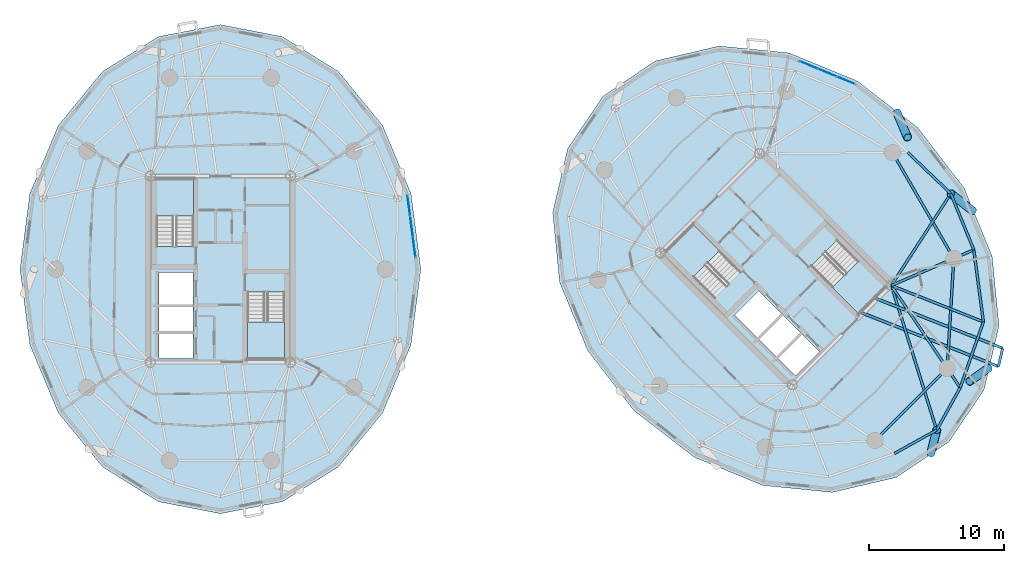
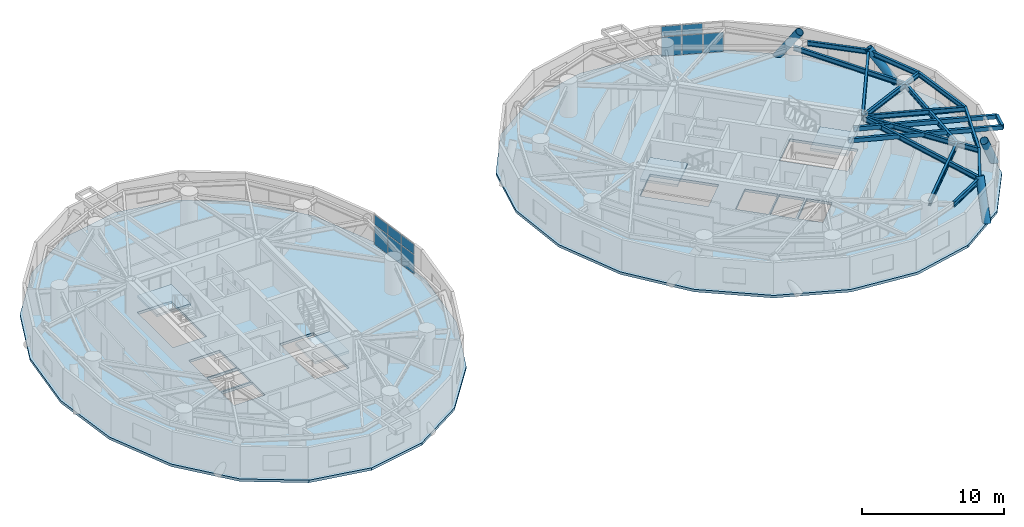
# One storey, part 8 of 17: 17 beams, 11 plates, 6 slabs, 4 members, 6 elements without a shape of their own.
"""IFC4 building model written with IfcOpenShell, lengths in metres."""

from ifc_helpers import new_model, si_unit, direction, frame, origin, origin_2d, place, context, subcontext, project, spatial, polyline, rectangle, hollow_rectangle, hollow_circle, i_section, outline, extrude, source, transform, mapped, material, layer, layer_set, material_profile, profile_set, type_object, element, aggregate, save


model = new_model("IFC4")

# Units and contexts
model_context = context("Model", 3, precision=1e-05, world=origin(), true_north=direction((0.0, 1.0)))
body_context = subcontext(model_context, "Body", "Model", "MODEL_VIEW")
ifc_project = project(units=[si_unit("LENGTHUNIT", "METRE"), si_unit("AREAUNIT", "SQUARE_METRE"), si_unit("VOLUMEUNIT", "CUBIC_METRE"), si_unit("PLANEANGLEUNIT", "RADIAN"), si_unit("MASSUNIT", "GRAM", prefix="KILO")], contexts=[model_context])

# Site, building, storey
site_placement = place(None, origin())
site = spatial("IfcSite", under=ifc_project, at=site_placement, CompositionType="ELEMENT")
building_placement = place(site_placement, origin())
building = spatial("IfcBuilding", under=site, at=building_placement, Name="Cununo Teusaquillo Station Towers", CompositionType="ELEMENT")
storey_placement = place(building_placement, frame((0.0, 0.0, 166.14990234375)))
storey = spatial("IfcBuildingStorey", under=building, at=storey_placement, Name="L52", CompositionType="ELEMENT", Elevation=166.14990234375)

# Beams
ifc_material_1 = material(Name="Steel EN 10025-2 S355J2", Category="steel")
ifc_material_profile_1 = material_profile(ifc_material_1, hollow_rectangle(XDim=0.199951171875, YDim=0.35009765625, WallThickness=0.013916015625, at=origin_2d()), Name="RHS 350x200x14")
ifc_profile_set_1 = profile_set([ifc_material_profile_1], Name="Steel EN 10025-2 S355J2")
beam_type_1 = type_object("IfcBeamType", Name="BM-BAL-CANT", PredefinedType="BEAM", material=ifc_profile_set_1)
beam_1_placement = place(storey_placement, frame((63.726318359375, 21.32177734375, 2.51513671875), z_axis=(0.93089493429, -0.36528703962, 0.0), x_axis=(0.36528703962, 0.93089493429, 0.0)))
element("IfcBeam", 1, at=beam_1_placement, inside=storey, type_object=beam_type_1, Name="L52 Tower B Balcony Cantilever Bracket 2A", PredefinedType="BEAM", context=body_context, shape_type="SweptSolid", body=[
    extrude(hollow_rectangle(XDim=0.199951171875, YDim=0.35009765625, WallThickness=0.013916015625, at=origin_2d()), origin(), (0.0, 0.0, 1.0), 10.958984375),
])
beam_2_placement = place(storey_placement, frame((64.781982421875, 22.377685546875, 2.51513671875), z_axis=(0.930897128362, -0.365281448211, 0.0), x_axis=(0.365281448211, 0.930897128362, 0.0)))
element("IfcBeam", 2, at=beam_2_placement, inside=storey, type_object=beam_type_1, Name="L52 Tower B Balcony Cantilever Bracket 2B", PredefinedType="BEAM", context=body_context, shape_type="SweptSolid", body=[
    extrude(hollow_rectangle(XDim=0.199951171875, YDim=0.35009765625, WallThickness=0.013916015625, at=origin_2d()), origin(), (0.0, 0.0, 1.0), 10.162353515625),
])
ifc_material_2 = material(Name="Steel ASTM A572 Grade 50", Category="steel")
ifc_material_profile_2 = material_profile(ifc_material_2, i_section(OverallWidth=0.180908203125, OverallDepth=0.4169921875, WebThickness=0.010986328125, FlangeThickness=0.018310546875, FilletRadius=0.012939453125, at=origin_2d()), Name="W16X57")
ifc_profile_set_2 = profile_set([ifc_material_profile_2], Name="Steel ASTM A572 Grade 50")
beam_type_2 = type_object("IfcBeamType", Name="BM-JOIST-1", PredefinedType="JOIST", material=ifc_profile_set_2)
beam_3_placement = place(storey_placement, frame((66.024169921875, 23.29443359375, 2.481689453125), z_axis=(0.29947962656, -0.954102695351, 0.0), x_axis=(0.954102695351, 0.29947962656, 0.0)))
element("IfcBeam", 3, at=beam_3_placement, inside=storey, type_object=beam_type_2, Name="L52 Tower B Radial Spandrel Joist V15", PredefinedType="JOIST", context=body_context, shape_type="SweptSolid", body=[
    extrude(i_section(OverallWidth=0.180908203125, OverallDepth=0.4169921875, WebThickness=0.010986328125, FlangeThickness=0.018310546875, FilletRadius=0.012939453125, at=origin_2d()), origin(), (0.0, 0.0, 1.0), 11.179931640625),
])
beam_4_placement = place(storey_placement, frame((66.024169921875, 23.29443359375, 2.481689453125), z_axis=(0.93009004426, -0.367331607091, 0.0), x_axis=(0.367331607091, 0.93009004426, 0.0)))
element("IfcBeam", 4, at=beam_4_placement, inside=storey, type_object=beam_type_2, Name="L52 Tower B Radial Spandrel Joist V17", PredefinedType="JOIST", context=body_context, shape_type="SweptSolid", body=[
    extrude(i_section(OverallWidth=0.180908203125, OverallDepth=0.4169921875, WebThickness=0.010986328125, FlangeThickness=0.018310546875, FilletRadius=0.012939453125, at=origin_2d()), origin(), (0.0, 0.0, 1.0), 7.306884765625),
])
beam_5_placement = place(storey_placement, frame((66.024169921875, 23.29443359375, 2.481689453125), z_axis=(0.543440395394, 0.839447756954, 0.0), x_axis=(-0.839447756954, 0.543440395394, 0.0)))
element("IfcBeam", 5, at=beam_5_placement, inside=storey, type_object=beam_type_2, Name="L52 Tower B Radial Spandrel Joist V19", PredefinedType="JOIST", context=body_context, shape_type="SweptSolid", body=[
    extrude(i_section(OverallWidth=0.180908203125, OverallDepth=0.4169921875, WebThickness=0.010986328125, FlangeThickness=0.018310546875, FilletRadius=0.012939453125, at=origin_2d()), origin(), (0.0, 0.0, 1.0), 8.08203125),
])
ifc_material_3 = material(Name="Steel ASTM A572 Grade 50", Category="steel")
ifc_material_profile_3 = material_profile(ifc_material_3, i_section(OverallWidth=0.180908203125, OverallDepth=0.4169921875, WebThickness=0.010986328125, FlangeThickness=0.018310546875, FilletRadius=0.012939453125, at=origin_2d()), Name="W16X57")
ifc_profile_set_3 = profile_set([ifc_material_profile_3], Name="Steel ASTM A572 Grade 50")
beam_type_3 = type_object("IfcBeamType", Name="BM-RAD-G2", PredefinedType="BEAM", material=ifc_profile_set_3)
beam_6_placement = place(storey_placement, frame((66.024169921875, 23.29443359375, 2.481689453125), z_axis=(0.558570989907, -0.829456719326, 0.0), x_axis=(0.829456719326, 0.558570989907, 0.0)))
element("IfcBeam", 6, at=beam_6_placement, inside=storey, type_object=beam_type_3, Name="L52 Tower B Continuous Overhanging Radial Girder 09", PredefinedType="BEAM", context=body_context, shape_type="SweptSolid", body=[
    extrude(i_section(OverallWidth=0.180908203125, OverallDepth=0.4169921875, WebThickness=0.010986328125, FlangeThickness=0.018310546875, FilletRadius=0.012939453125, at=origin_2d()), origin(), (0.0, 0.0, 1.0), 9.097412109375),
])
beam_7_placement = place(storey_placement, frame((66.024169921875, 23.29443359375, 2.481689453125), z_axis=(0.917664823247, 0.397355347486, 0.0), x_axis=(-0.397355347486, 0.917664823247, 0.0)))
element("IfcBeam", 7, at=beam_7_placement, inside=storey, type_object=beam_type_3, Name="L52 Tower B Continuous Overhanging Radial Girder 10", PredefinedType="BEAM", context=body_context, shape_type="SweptSolid", body=[
    extrude(i_section(OverallWidth=0.180908203125, OverallDepth=0.4169921875, WebThickness=0.010986328125, FlangeThickness=0.018310546875, FilletRadius=0.012939453125, at=origin_2d()), origin(), (0.0, 0.0, 1.0), 6.632080078125),
])
ifc_material_4 = material(Name="Steel ASTM A572 Grade 50", Category="steel")
ifc_material_profile_4 = material_profile(ifc_material_4, i_section(OverallWidth=0.180908203125, OverallDepth=0.4169921875, WebThickness=0.010986328125, FlangeThickness=0.018310546875, FilletRadius=0.012939453125, at=origin_2d()), Name="W16X57")
ifc_profile_set_4 = profile_set([ifc_material_profile_4], Name="Steel ASTM A572 Grade 50")
beam_type_4 = type_object("IfcBeamType", Name="BM-RING-Z3", PredefinedType="SPANDREL", material=ifc_profile_set_4)
beam_8_placement = place(storey_placement, frame((64.826904296875, 11.853759765625, 2.481689453125), z_axis=(0.707106781187, 0.707106781187, 0.0), x_axis=(-0.707106781187, 0.707106781187, 0.0)))
element("IfcBeam", 8, at=beam_8_placement, inside=storey, type_object=beam_type_4, Name="L52 Tower B Structural Column Ring Girder 08", PredefinedType="SPANDREL", context=body_context, shape_type="SweptSolid", body=[
    extrude(i_section(OverallWidth=0.180908203125, OverallDepth=0.4169921875, WebThickness=0.010986328125, FlangeThickness=0.018310546875, FilletRadius=0.012939453125, at=origin_2d()), origin(), (0.0, 0.0, 1.0), 7.522705078125),
])
beam_9_placement = place(storey_placement, frame((70.146240234375, 17.173095703125, 2.481689453125), z_axis=(0.06012979176, 0.998190567048, 0.0), x_axis=(-0.998190567048, 0.06012979176, 0.0)))
element("IfcBeam", 9, at=beam_9_placement, inside=storey, type_object=beam_type_4, Name="L52 Tower B Structural Column Ring Girder 09", PredefinedType="SPANDREL", context=body_context, shape_type="SweptSolid", body=[
    extrude(i_section(OverallWidth=0.180908203125, OverallDepth=0.4169921875, WebThickness=0.010986328125, FlangeThickness=0.018310546875, FilletRadius=0.012939453125, at=origin_2d()), origin(), (0.0, 0.0, 1.0), 8.132568359375),
])
beam_10_placement = place(storey_placement, frame((70.63525390625, 25.291015625, 2.481689453125), z_axis=(-0.501311121078, 0.865267103202, 0.0), x_axis=(-0.865267103202, -0.501311121078, 0.0)))
element("IfcBeam", 10, at=beam_10_placement, inside=storey, type_object=beam_type_4, Name="L52 Tower B Structural Column Ring Girder 10", PredefinedType="SPANDREL", context=body_context, shape_type="SweptSolid", body=[
    extrude(i_section(OverallWidth=0.180908203125, OverallDepth=0.4169921875, WebThickness=0.010986328125, FlangeThickness=0.018310546875, FilletRadius=0.012939453125, at=origin_2d()), origin(), (0.0, 0.0, 1.0), 9.032958984375),
])
for number, where, z_axis, x_axis, name in (
    (11, (66.25146484375, 10.894287109375, 2.481689453125), (0.874205659621, 0.485555830659, 0.0), (-0.485555830659, 0.874205659621, 0.0), "L52 Tower B Spandrel Ring Beam 15"),
    (12, (69.372314453125, 12.627685546875, 2.481689453125), (0.485555830659, 0.874205659621, 0.0), (-0.874205659621, 0.485555830659, 0.0), "L52 Tower B Spandrel Ring Beam 16"),
):
    element("IfcBeam", number, at=place(storey_placement, frame(where, z_axis=z_axis, x_axis=x_axis)), inside=storey, type_object=beam_type_4, Name=name, PredefinedType="SPANDREL", context=body_context, shape_type="SweptSolid", body=[
        extrude(i_section(OverallWidth=0.180908203125, OverallDepth=0.4169921875, WebThickness=0.010986328125, FlangeThickness=0.018310546875, FilletRadius=0.012939453125, at=origin_2d()), origin(), (0.0, 0.0, 1.0), 3.56982421875),
    ])
beam_11_placement = place(storey_placement, frame((71.105712890625, 15.74853515625, 2.481689453125), z_axis=(0.332589733158, 0.943071614141, 0.0), x_axis=(-0.943071614141, 0.332589733158, 0.0)))
element("IfcBeam", 13, at=beam_11_placement, inside=storey, type_object=beam_type_4, Name="L52 Tower B Spandrel Ring Beam 17", PredefinedType="SPANDREL", context=body_context, shape_type="SweptSolid", body=[
    extrude(i_section(OverallWidth=0.180908203125, OverallDepth=0.4169921875, WebThickness=0.010986328125, FlangeThickness=0.018310546875, FilletRadius=0.012939453125, at=origin_2d()), origin(), (0.0, 0.0, 1.0), 5.1552734375),
])
beam_12_placement = place(storey_placement, frame((72.8203125, 20.6103515625, 2.481689453125), z_axis=(-0.132339532096, 0.991204443213, 0.0), x_axis=(-0.991204443213, -0.132339532096, 0.0)))
element("IfcBeam", 14, at=beam_12_placement, inside=storey, type_object=beam_type_4, Name="L52 Tower B Spandrel Ring Beam 18", PredefinedType="SPANDREL", context=body_context, shape_type="SweptSolid", body=[
    extrude(i_section(OverallWidth=0.180908203125, OverallDepth=0.4169921875, WebThickness=0.010986328125, FlangeThickness=0.018310546875, FilletRadius=0.012939453125, at=origin_2d()), origin(), (0.0, 0.0, 1.0), 5.366455078125),
])
beam_13_placement = place(storey_placement, frame((72.110107421875, 25.9296875, 2.481689453125), z_axis=(-0.377956082264, 0.925823525235, 0.0), x_axis=(-0.925823525235, -0.377956082264, 0.0)))
element("IfcBeam", 15, at=beam_13_placement, inside=storey, type_object=beam_type_4, Name="L52 Tower B Spandrel Ring Beam 19", PredefinedType="SPANDREL", context=body_context, shape_type="SweptSolid", body=[
    extrude(i_section(OverallWidth=0.180908203125, OverallDepth=0.4169921875, WebThickness=0.010986328125, FlangeThickness=0.018310546875, FilletRadius=0.012939453125, at=origin_2d()), origin(), (0.0, 0.0, 1.0), 4.481689453125),
])
beam_14_placement = place(storey_placement, frame((70.416259765625, 30.078857421875, 2.481689453125), z_axis=(-0.723501643849, 0.690322657421, 0.0), x_axis=(-0.690322657421, -0.723501643849, 0.0)))
element("IfcBeam", 16, at=beam_14_placement, inside=storey, type_object=beam_type_4, Name="L52 Tower B Spandrel Ring Beam 20", PredefinedType="SPANDREL", context=body_context, shape_type="SweptSolid", body=[
    extrude(i_section(OverallWidth=0.180908203125, OverallDepth=0.4169921875, WebThickness=0.010986328125, FlangeThickness=0.018310546875, FilletRadius=0.012939453125, at=origin_2d()), origin(), (0.0, 0.0, 1.0), 4.400146484375),
])
ifc_material_5 = material(Name="Steel EN 10025-2 S355J2", Category="steel")
ifc_material_profile_5 = material_profile(ifc_material_5, hollow_rectangle(XDim=0.199951171875, YDim=0.35009765625, WallThickness=0.013916015625, at=origin_2d()), Name="RHS 350x200x14")
ifc_profile_set_5 = profile_set([ifc_material_profile_5], Name="Steel EN 10025-2 S355J2")
beam_type_5 = type_object("IfcBeamType", Name="BM-STAIR-TRIM", PredefinedType="BEAM", material=ifc_profile_set_5)
beam_15_placement = place(storey_placement, frame((73.927978515625, 17.318603515625, 2.525146484375), z_axis=(0.227179394005, 0.97385292675, 0.0), x_axis=(-0.97385292675, 0.227179394005, 0.0)))
element("IfcBeam", 17, at=beam_15_placement, inside=storey, type_object=beam_type_5, Name="L52 Tower B Balcony Edge Trimmer Beam 2", PredefinedType="BEAM", context=body_context, shape_type="SweptSolid", body=[
    extrude(hollow_rectangle(XDim=0.199951171875, YDim=0.35009765625, WallThickness=0.013916015625, at=origin_2d()), origin(), (0.0, 0.0, 1.0), 1.383056640625),
])

# Members
ifc_material_6 = material(Name="Steel EN 10025-2 S355J2", Category="steel")
ifc_material_profile_6 = material_profile(ifc_material_6, hollow_circle(Radius=0.304931640625, WallThickness=0.02001953125, at=origin_2d()), Name="CHS 610x20")
ifc_profile_set_6 = profile_set([ifc_material_profile_6], Name="Steel EN 10025-2 S355J2")
member_type = type_object("IfcMemberType", Name="MBR-DIAG-Z3", PredefinedType="BRACE", material=ifc_profile_set_6)
member_1_placement = place(storey_placement, frame((66.43896484375, 36.0595703125, -0.139892578125), z_axis=(0.222273717473, -0.520298981985, 0.824550401047), x_axis=(0.91959976978, 0.392856543053, 0.0)))
element("IfcMember", 18, at=member_1_placement, inside=storey, type_object=member_type, Name="L52 Tower B Folded-Zigzag Diagrid Tube C00", PredefinedType="BRACE", context=body_context, shape_type="SweptSolid", body=[
    extrude(hollow_circle(Radius=0.304931640625, WallThickness=0.02001953125, at=origin_2d()), origin(), (0.0, 0.0, 1.0), 3.529052734375),
])
member_2_placement = place(storey_placement, frame((68.940185546875, 10.913330078125, -0.139892578125), z_axis=(0.126913861794, 0.503496687865, 0.854625038829), x_axis=(-0.96966953843, 0.244419692826, 0.0)))
element("IfcMember", 19, at=member_2_placement, inside=storey, type_object=member_type, Name="L52 Tower B Folded-Zigzag Diagrid Tube C14", PredefinedType="BRACE", context=body_context, shape_type="SweptSolid", body=[
    extrude(hollow_circle(Radius=0.304931640625, WallThickness=0.02001953125, at=origin_2d()), origin(), (0.0, 0.0, 1.0), 3.40478515625),
])
member_3_placement = place(storey_placement, frame((73.183837890625, 17.19189453125, -0.139892578125), z_axis=(-0.411950194575, -0.290430321875, 0.863682386833), x_axis=(0.576208975745, -0.817302401973, 0.0)))
element("IfcMember", 20, at=member_3_placement, inside=storey, type_object=member_type, Name="L52 Tower B Folded-Zigzag Diagrid Tube C16", PredefinedType="BRACE", context=body_context, shape_type="SweptSolid", body=[
    extrude(hollow_circle(Radius=0.304931640625, WallThickness=0.02001953125, at=origin_2d()), origin(), (0.0, 0.0, 1.0), 3.369140625),
])
member_4_placement = place(storey_placement, frame((72.029052734375, 28.802978515625, -0.139892578125), z_axis=(-0.452621984447, 0.358068799685, 0.816651745781), x_axis=(-0.620429230368, -0.78426243701, 0.0)))
element("IfcMember", 21, at=member_4_placement, inside=storey, type_object=member_type, Name="L52 Tower B Folded-Zigzag Diagrid Tube C18", PredefinedType="BRACE", context=body_context, shape_type="SweptSolid", body=[
    extrude(hollow_circle(Radius=0.304931640625, WallThickness=0.02001953125, at=origin_2d()), origin(), (0.0, 0.0, 1.0), 3.563232421875),
])

# Stair, slab
ifc_material_7 = material(Name="Concrete C50/60", Category="concrete")
stair_type = type_object("IfcStairType", Name="ST-TWR-1300", PredefinedType="HALF_TURN_STAIR", material=ifc_material_7)
stair_1_placement = place(storey_placement, origin())
stair_1 = element("IfcStair", 22, at=stair_1_placement, inside=storey, type_object=stair_type, Name="L52 Tower A Protected Core Exit Stair 1", PredefinedType="HALF_TURN_STAIR")
ifc_material_8 = material(Name="Concrete C50/60", Category="concrete")
ifc_layer_1 = layer(ifc_material_8, 0.199951171875)
ifc_layer_set_1 = layer_set([ifc_layer_1], Name="Concrete C50/60")
slab_type_1 = type_object("IfcSlabType", Name="SLB-STAIR-LND", PredefinedType="LANDING", material=ifc_layer_set_1)
slab_1_placement = place(storey_placement, frame((0.0, 0.0, 1.255126953125)))
slab_1 = element("IfcSlab", 23, at=slab_1_placement, type_object=slab_type_1, Name="ST-T1-1 landing 1", PredefinedType="LANDING", context=body_context, shape_type="SweptSolid", body=[
    extrude(outline(polyline([(14.52001953125, 28.409912109375), (14.52001953125, 31.159912109375), (11.760009765625, 31.159912109375), (11.760009765625, 28.409912109375), (14.52001953125, 28.409912109375)])), origin(), (0.0, 0.0, 1.0), 0.199951171875),
])
aggregate(stair_1, [slab_1])

stair_2_placement = place(storey_placement, origin())
stair_2 = element("IfcStair", 24, at=stair_2_placement, inside=storey, type_object=stair_type, Name="L52 Tower A Protected Core Exit Stair 2", PredefinedType="HALF_TURN_STAIR")
slab_2_placement = place(storey_placement, frame((0.0, 0.0, 1.255126953125)))
slab_2 = element("IfcSlab", 25, at=slab_2_placement, type_object=slab_type_1, Name="ST-T1-2 landing 1", PredefinedType="LANDING", context=body_context, shape_type="SweptSolid", body=[
    extrude(outline(polyline([(18.47998046875, 20.590087890625), (18.47998046875, 17.840087890625), (21.239990234375, 17.840087890625), (21.239990234375, 20.590087890625), (18.47998046875, 20.590087890625)])), origin(), (0.0, 0.0, 1.0), 0.199951171875),
])
aggregate(stair_2, [slab_2])

stair_3_placement = place(storey_placement, origin())
stair_3 = element("IfcStair", 26, at=stair_3_placement, inside=storey, type_object=stair_type, Name="L52 Tower B Protected Core Exit Stair 1", PredefinedType="HALF_TURN_STAIR")
slab_3_placement = place(storey_placement, frame((0.0, 0.0, 1.255126953125)))
slab_3 = element("IfcSlab", 27, at=slab_3_placement, type_object=slab_type_1, Name="ST-T2-1 landing 1", PredefinedType="LANDING", context=body_context, shape_type="SweptSolid", body=[
    extrude(outline(polyline([(53.335205078125, 25.86474609375), (51.390625, 27.809326171875), (49.43896484375, 25.857666015625), (51.383544921875, 23.9130859375), (53.335205078125, 25.86474609375)])), origin(), (0.0, 0.0, 1.0), 0.199951171875),
])
aggregate(stair_3, [slab_3])

stair_4_placement = place(storey_placement, origin())
stair_4 = element("IfcStair", 28, at=stair_4_placement, inside=storey, type_object=stair_type, Name="L52 Tower B Protected Core Exit Stair 2", PredefinedType="HALF_TURN_STAIR")
slab_4_placement = place(storey_placement, frame((0.0, 0.0, 1.255126953125)))
slab_4 = element("IfcSlab", 29, at=slab_4_placement, type_object=slab_type_1, Name="ST-T2-2 landing 1", PredefinedType="LANDING", context=body_context, shape_type="SweptSolid", body=[
    extrude(outline(polyline([(61.664794921875, 23.13525390625), (63.609375, 21.190673828125), (65.56103515625, 23.142333984375), (63.616455078125, 25.0869140625), (61.664794921875, 23.13525390625)])), origin(), (0.0, 0.0, 1.0), 0.199951171875),
])
aggregate(stair_4, [slab_4])

# Slabs
ifc_material_9 = material(Name="Concrete C40/50", Category="concrete")
ifc_layer_2 = layer(ifc_material_9, 0.219970703125)
ifc_layer_set_2 = layer_set([ifc_layer_2], Name="Concrete C40/50")
slab_type_2 = type_object("IfcSlabType", Name="SLB-Z3-220", PredefinedType="FLOOR", material=ifc_layer_set_2)
slab_5_placement = place(storey_placement, frame((0.0, 0.0, -0.219970703125)))
element("IfcSlab", 30, at=slab_5_placement, inside=storey, type_object=slab_type_2, Name="L52 Tower A Floor Slab", PredefinedType="FLOOR", context=body_context, shape_type="SweptSolid", body=[
    extrude(outline(polyline([(31.294921875, 24.5), (30.57080078125, 30.077880859375), (28.469482421875, 35.109619140625), (25.1962890625, 39.102783203125), (21.072021484375, 41.66650390625), (16.5, 42.550048828125), (11.927978515625, 41.66650390625), (7.8037109375, 39.102783203125), (4.530517578125, 35.109619140625), (2.42919921875, 30.077880859375), (1.705078125, 24.5), (2.42919921875, 18.922119140625), (4.530517578125, 13.890380859375), (7.8037109375, 9.897216796875), (11.927978515625, 7.33349609375), (16.5, 6.449951171875), (21.072021484375, 7.33349609375), (25.1962890625, 9.897216796875), (28.469482421875, 13.890380859375), (30.57080078125, 18.922119140625), (31.294921875, 24.5)]), holes=[polyline([(14.52001953125, 26.176025390625), (14.52001953125, 31.159912109375), (11.760009765625, 31.159912109375), (11.760009765625, 26.176025390625), (14.52001953125, 26.176025390625)]), polyline([(18.47998046875, 22.823974609375), (18.47998046875, 17.840087890625), (21.239990234375, 17.840087890625), (21.239990234375, 22.823974609375), (18.47998046875, 22.823974609375)]), polyline([(11.949951171875, 21.85009765625), (14.47998046875, 21.85009765625), (14.47998046875, 24.25), (11.949951171875, 24.25), (11.949951171875, 21.85009765625)]), polyline([(11.949951171875, 17.89990234375), (14.47998046875, 17.89990234375), (14.47998046875, 19.75), (11.949951171875, 19.75), (11.949951171875, 17.89990234375)]), polyline([(11.949951171875, 19.89990234375), (14.47998046875, 19.89990234375), (14.47998046875, 21.75), (11.949951171875, 21.75), (11.949951171875, 19.89990234375)])]), origin(), (0.0, 0.0, 1.0), 0.219970703125),
])
slab_6_placement = place(storey_placement, frame((0.0, 0.0, -0.219970703125)))
element("IfcSlab", 31, at=slab_6_placement, inside=storey, type_object=slab_type_2, Name="L52 Tower B Floor Slab", PredefinedType="FLOOR", context=body_context, shape_type="SweptSolid", body=[
    extrude(outline(polyline([(67.961669921875, 34.961669921875), (63.505615234375, 38.393798828125), (58.461669921875, 40.4658203125), (53.323486328125, 40.97509765625), (48.59423828125, 39.871337890625), (44.73681640625, 37.26318359375), (42.128662109375, 33.40576171875), (41.02490234375, 28.676513671875), (41.5341796875, 23.538330078125), (43.606201171875, 18.494384765625), (47.038330078125, 14.038330078125), (51.494384765625, 10.606201171875), (56.538330078125, 8.5341796875), (61.676513671875, 8.02490234375), (66.40576171875, 9.128662109375), (70.26318359375, 11.73681640625), (72.871337890625, 15.59423828125), (73.97509765625, 20.323486328125), (73.4658203125, 25.461669921875), (71.393798828125, 30.505615234375), (67.961669921875, 34.961669921875)]), holes=[polyline([(54.914794921875, 24.28515625), (51.390625, 27.809326171875), (49.43896484375, 25.857666015625), (52.963134765625, 22.33349609375), (54.914794921875, 24.28515625)]), polyline([(60.085205078125, 24.71484375), (63.609375, 21.190673828125), (65.56103515625, 23.142333984375), (62.036865234375, 26.66650390625), (60.085205078125, 24.71484375)]), polyline([(56.156494140625, 19.40869140625), (57.945556640625, 21.19775390625), (56.248291015625, 22.89501953125), (54.45947265625, 21.10595703125), (56.156494140625, 19.40869140625)]), polyline([(58.94970703125, 16.61572265625), (60.738525390625, 18.40478515625), (59.430419921875, 19.712890625), (57.641357421875, 17.923828125), (58.94970703125, 16.61572265625)]), polyline([(57.535400390625, 18.030029296875), (59.32421875, 19.819091796875), (58.01611328125, 21.127197265625), (56.227294921875, 19.338134765625), (57.535400390625, 18.030029296875)])]), origin(), (0.0, 0.0, 1.0), 0.219970703125),
])

# Curtain wall, plates
ifc_material_10 = material(Name="Operable acoustic tinted low-E double glazing", Category="glass")
ifc_layer_3 = layer(ifc_material_10, 0.179931640625)
ifc_layer_set_3 = layer_set([ifc_layer_3], Name="Operable acoustic tinted low-E double glazing")
curtain_wall_type = type_object("IfcCurtainWallType", Name="CW-SYS-06", PredefinedType="USERDEFINED", material=ifc_layer_set_3)
curtain_wall_1_placement = place(storey_placement, origin())
curtain_wall_1 = element("IfcCurtainWall", 32, at=curtain_wall_1_placement, inside=storey, type_object=curtain_wall_type, Name="L52 Tower A Facade Curtain Wall C00", ObjectType="OPERABLE GLAZING", PredefinedType="USERDEFINED")
ifc_material_11 = material(Name="Operable acoustic tinted low-E double glazing", Category="glass")
ifc_layer_4 = layer(ifc_material_11, 0.031982421875)
ifc_layer_set_4 = layer_set([ifc_layer_4], Name="Operable acoustic tinted low-E double glazing")
plate_type = type_object("IfcPlateType", Name="CWP-OPER-32", PredefinedType="CURTAIN_PANEL", material=ifc_layer_set_4)
shared_shape_1 = source(origin(), body_context, "Body", "SweptSolid", [
    extrude(rectangle(XDim=1.46484375, YDim=0.031982421875, at=origin_2d()), origin(), (0.0, 0.0, 1.0), 1.6416015625),
])
plate_1_placement = place(storey_placement, frame((30.406982421875, 29.200439453125, 0.06494140625), z_axis=(0.0, 0.0, 1.0), x_axis=(0.128292898403, -0.991736321922, 0.0)))
plate_1 = element("IfcPlate", 33, at=plate_1_placement, type_object=plate_type, Name="CW-06 panel 1.1", PredefinedType="CURTAIN_PANEL", context=body_context, shape_type="MappedRepresentation", body=[
    mapped(shared_shape_1, transform((0.0, 0.0, 0.0), x_axis=(1.0, 0.0, 0.0), y_axis=(0.0, 1.0, 0.0), z_axis=(0.0, 0.0, 1.0), scale=1.0)),
])
plate_2_placement = place(storey_placement, frame((30.8037109375, 26.1337890625, 0.06494140625), z_axis=(0.0, 0.0, 1.0), x_axis=(0.128292898403, -0.991736321922, 0.0)))
plate_2 = element("IfcPlate", 34, at=plate_2_placement, type_object=plate_type, Name="CW-06 panel 3.1", PredefinedType="CURTAIN_PANEL", context=body_context, shape_type="MappedRepresentation", body=[
    mapped(shared_shape_1, transform((0.0, 0.0, 0.0), x_axis=(1.0, 0.0, 0.0), y_axis=(0.0, 1.0, 0.0), z_axis=(0.0, 0.0, 1.0), scale=1.0)),
])
shared_shape_2 = source(origin(), body_context, "Body", "SweptSolid", [
    extrude(rectangle(XDim=1.46484375, YDim=0.031982421875, at=origin_2d()), origin(), (0.0, 0.0, 1.0), 0.83837890625),
])
plate_3_placement = place(storey_placement, frame((30.406982421875, 29.200439453125, 1.771728515625), z_axis=(0.0, 0.0, 1.0), x_axis=(0.128292898403, -0.991736321922, 0.0)))
plate_3 = element("IfcPlate", 35, at=plate_3_placement, type_object=plate_type, Name="CW-06 panel 1.2", PredefinedType="CURTAIN_PANEL", context=body_context, shape_type="MappedRepresentation", body=[
    mapped(shared_shape_2, transform((0.0, 0.0, 0.0), x_axis=(1.0, 0.0, 0.0), y_axis=(0.0, 1.0, 0.0), z_axis=(0.0, 0.0, 1.0), scale=1.0)),
])
plate_4_placement = place(storey_placement, frame((30.8037109375, 26.1337890625, 1.771728515625), z_axis=(0.0, 0.0, 1.0), x_axis=(0.128292898403, -0.991736321922, 0.0)))
plate_4 = element("IfcPlate", 36, at=plate_4_placement, type_object=plate_type, Name="CW-06 panel 3.2", PredefinedType="CURTAIN_PANEL", context=body_context, shape_type="MappedRepresentation", body=[
    mapped(shared_shape_2, transform((0.0, 0.0, 0.0), x_axis=(1.0, 0.0, 0.0), y_axis=(0.0, 1.0, 0.0), z_axis=(0.0, 0.0, 1.0), scale=1.0)),
])
shared_shape_3 = source(origin(), body_context, "Body", "SweptSolid", [
    extrude(rectangle(XDim=1.497314453125, YDim=0.031982421875, at=origin_2d()), origin(), (0.0, 0.0, 1.0), 1.6416015625),
])
plate_5_placement = place(storey_placement, frame((30.605224609375, 27.6669921875, 0.06494140625), z_axis=(0.0, 0.0, 1.0), x_axis=(0.128292898403, -0.991736321922, 0.0)))
plate_5 = element("IfcPlate", 37, at=plate_5_placement, type_object=plate_type, Name="CW-06 panel 2.1", PredefinedType="CURTAIN_PANEL", context=body_context, shape_type="MappedRepresentation", body=[
    mapped(shared_shape_3, transform((0.0, 0.0, 0.0), x_axis=(1.0, 0.0, 0.0), y_axis=(0.0, 1.0, 0.0), z_axis=(0.0, 0.0, 1.0), scale=1.0)),
])
shared_shape_4 = source(origin(), body_context, "Body", "SweptSolid", [
    extrude(rectangle(XDim=1.497314453125, YDim=0.031982421875, at=origin_2d()), origin(), (0.0, 0.0, 1.0), 0.83837890625),
])
plate_6_placement = place(storey_placement, frame((30.605224609375, 27.6669921875, 1.771728515625), z_axis=(0.0, 0.0, 1.0), x_axis=(0.128292898403, -0.991736321922, 0.0)))
plate_6 = element("IfcPlate", 38, at=plate_6_placement, type_object=plate_type, Name="CW-06 panel 2.2", PredefinedType="CURTAIN_PANEL", context=body_context, shape_type="MappedRepresentation", body=[
    mapped(shared_shape_4, transform((0.0, 0.0, 0.0), x_axis=(1.0, 0.0, 0.0), y_axis=(0.0, 1.0, 0.0), z_axis=(0.0, 0.0, 1.0), scale=1.0)),
])
aggregate(curtain_wall_1, [plate_1, plate_3, plate_5, plate_6, plate_2, plate_4])

curtain_wall_2_placement = place(storey_placement, origin())
curtain_wall_2 = element("IfcCurtainWall", 39, at=curtain_wall_2_placement, inside=storey, type_object=curtain_wall_type, Name="L52 Tower B Facade Curtain Wall C01", ObjectType="OPERABLE GLAZING", PredefinedType="USERDEFINED")
shared_shape_5 = source(origin(), body_context, "Body", "SweptSolid", [
    extrude(rectangle(XDim=1.40771484375, YDim=0.031982421875, at=origin_2d()), origin(), (0.0, 0.0, 1.0), 1.6416015625),
])
plate_7_placement = place(storey_placement, frame((59.91455078125, 39.572265625, 0.06494140625), z_axis=(0.0, 0.0, 1.0), x_axis=(0.924524840588, -0.381121790423, 0.0)))
plate_7 = element("IfcPlate", 40, at=plate_7_placement, type_object=plate_type, Name="CW-06 panel 1.1", PredefinedType="CURTAIN_PANEL", context=body_context, shape_type="MappedRepresentation", body=[
    mapped(shared_shape_5, transform((0.0, 0.0, 0.0), x_axis=(1.0, 0.0, 0.0), y_axis=(0.0, 1.0, 0.0), z_axis=(0.0, 0.0, 1.0), scale=1.0)),
])
plate_8_placement = place(storey_placement, frame((62.667724609375, 38.437255859375, 0.06494140625), z_axis=(0.0, 0.0, 1.0), x_axis=(0.924524840588, -0.381121790423, 0.0)))
plate_8 = element("IfcPlate", 41, at=plate_8_placement, type_object=plate_type, Name="CW-06 panel 3.1", PredefinedType="CURTAIN_PANEL", context=body_context, shape_type="MappedRepresentation", body=[
    mapped(shared_shape_5, transform((0.0, 0.0, 0.0), x_axis=(1.0, 0.0, 0.0), y_axis=(0.0, 1.0, 0.0), z_axis=(0.0, 0.0, 1.0), scale=1.0)),
])
shared_shape_6 = source(origin(), body_context, "Body", "SweptSolid", [
    extrude(rectangle(XDim=1.40771484375, YDim=0.031982421875, at=origin_2d()), origin(), (0.0, 0.0, 1.0), 0.83837890625),
])
plate_9_placement = place(storey_placement, frame((59.91455078125, 39.572265625, 1.771728515625), z_axis=(0.0, 0.0, 1.0), x_axis=(0.924524840588, -0.381121790423, 0.0)))
plate_9 = element("IfcPlate", 42, at=plate_9_placement, type_object=plate_type, Name="CW-06 panel 1.2", PredefinedType="CURTAIN_PANEL", context=body_context, shape_type="MappedRepresentation", body=[
    mapped(shared_shape_6, transform((0.0, 0.0, 0.0), x_axis=(1.0, 0.0, 0.0), y_axis=(0.0, 1.0, 0.0), z_axis=(0.0, 0.0, 1.0), scale=1.0)),
])
shared_shape_7 = source(origin(), body_context, "Body", "SweptSolid", [
    extrude(rectangle(XDim=1.440185546875, YDim=0.031982421875, at=origin_2d()), origin(), (0.0, 0.0, 1.0), 1.6416015625),
])
plate_10_placement = place(storey_placement, frame((61.291015625, 39.004638671875, 0.06494140625), z_axis=(0.0, 0.0, 1.0), x_axis=(0.924524840588, -0.381121790423, 0.0)))
plate_10 = element("IfcPlate", 43, at=plate_10_placement, type_object=plate_type, Name="CW-06 panel 2.1", PredefinedType="CURTAIN_PANEL", context=body_context, shape_type="MappedRepresentation", body=[
    mapped(shared_shape_7, transform((0.0, 0.0, 0.0), x_axis=(1.0, 0.0, 0.0), y_axis=(0.0, 1.0, 0.0), z_axis=(0.0, 0.0, 1.0), scale=1.0)),
])
shared_shape_8 = source(origin(), body_context, "Body", "SweptSolid", [
    extrude(rectangle(XDim=1.440185546875, YDim=0.031982421875, at=origin_2d()), origin(), (0.0, 0.0, 1.0), 0.83837890625),
])
plate_11_placement = place(storey_placement, frame((61.291015625, 39.004638671875, 1.771728515625), z_axis=(0.0, 0.0, 1.0), x_axis=(0.924524840588, -0.381121790423, 0.0)))
plate_11 = element("IfcPlate", 44, at=plate_11_placement, type_object=plate_type, Name="CW-06 panel 2.2", PredefinedType="CURTAIN_PANEL", context=body_context, shape_type="MappedRepresentation", body=[
    mapped(shared_shape_8, transform((0.0, 0.0, 0.0), x_axis=(1.0, 0.0, 0.0), y_axis=(0.0, 1.0, 0.0), z_axis=(0.0, 0.0, 1.0), scale=1.0)),
])
aggregate(curtain_wall_2, [plate_7, plate_9, plate_10, plate_11, plate_8])

save(model, "model.ifc")
